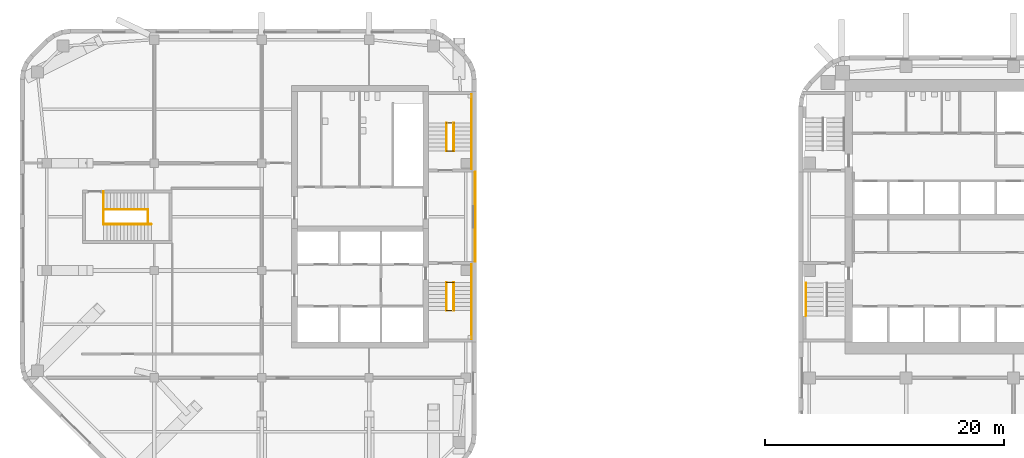
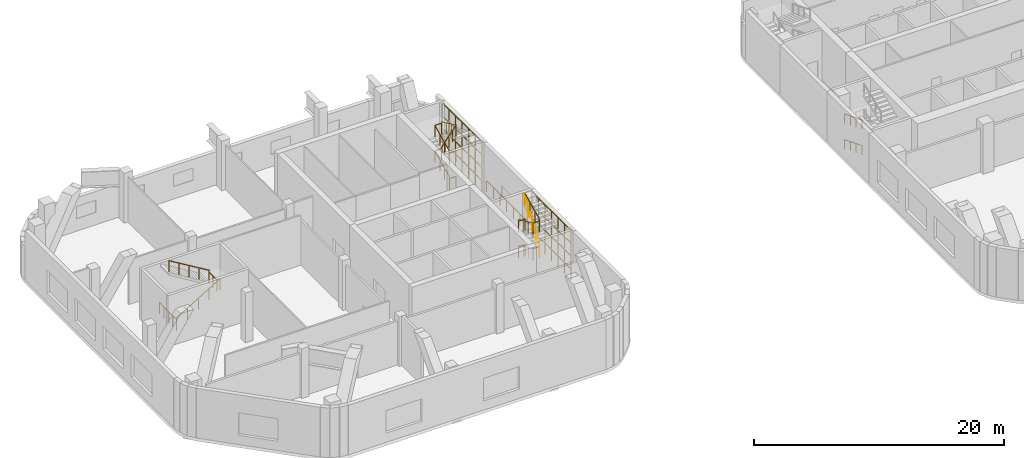
# One storey, part 12 of 14: 32 railings, 1 element without a shape of its own.
"""IFC4 building model written with IfcOpenShell, lengths in metres."""

from ifc_helpers import new_model, si_unit, direction, frame, origin, origin_2d, place, context, subcontext, project, spatial, circle, extrude, material, type_object, element, aggregate, save


model = new_model("IFC4")

# Units and contexts
model_context = context("Model", 3, precision=1e-05, world=origin(), true_north=direction((0.0, 1.0)))
body_context = subcontext(model_context, "Body", "Model", "MODEL_VIEW")
ifc_project = project(units=[si_unit("LENGTHUNIT", "METRE"), si_unit("AREAUNIT", "SQUARE_METRE"), si_unit("VOLUMEUNIT", "CUBIC_METRE"), si_unit("PLANEANGLEUNIT", "RADIAN"), si_unit("MASSUNIT", "GRAM", prefix="KILO")], contexts=[model_context])

# Site, building, storey
site_placement = place(None, origin())
site = spatial("IfcSite", under=ifc_project, at=site_placement, CompositionType="ELEMENT")
building_placement = place(site_placement, origin())
building = spatial("IfcBuilding", under=site, at=building_placement, Name="Cinnabar Reach Civic Tower", CompositionType="ELEMENT")
storey_placement = place(building_placement, frame((0.0, 0.0, 95.0)))
storey = spatial("IfcBuildingStorey", under=building, at=storey_placement, Name="L22", CompositionType="ELEMENT", Elevation=95.0)

# Stair, railings
ifc_material_1 = material(Name="Concrete C40/50", Category="concrete")
stair_type = type_object("IfcStairType", Name="T1 Exit stair, double return", PredefinedType="DOUBLE_RETURN_STAIR", material=ifc_material_1)
stair_placement = place(storey_placement, origin())
stair = element("IfcStair", 1, at=stair_placement, inside=storey, type_object=stair_type, Name="Stair T1-S1", PredefinedType="DOUBLE_RETURN_STAIR")
ifc_material_2 = material(Name="Stainless steel tube", Category="steel")
railing_type_1 = type_object("IfcRailingType", Name="T1 Stair handrail, stainless tube 48", PredefinedType="HANDRAIL", material=ifc_material_2)
railing_1_placement = place(storey_placement, frame((0.6, 25.95, 0.1562)))
railing_1 = element("IfcRailing", 2, at=railing_1_placement, type_object=railing_type_1, Name="T1-S1 handrail 1", PredefinedType="HANDRAIL", context=body_context, shape_type="SweptSolid", body=[
    extrude(circle(Radius=0.024, at=origin_2d()), frame((0.0, 0.0, 0.876), z_axis=(0.0, -0.928966009512, 0.370165035047), x_axis=(1.0, 0.0, 0.0)), (0.0, 0.0, 1.0), 2.9549),
    extrude(circle(Radius=0.021, at=origin_2d()), origin(), (0.0, 0.0, 1.0), 0.852),
    extrude(circle(Radius=0.021, at=origin_2d()), frame((0.0, -0.915, 0.3646)), (0.0, 0.0, 1.0), 0.852),
    extrude(circle(Radius=0.021, at=origin_2d()), frame((0.0, -1.83, 0.7292)), (0.0, 0.0, 1.0), 0.852),
    extrude(circle(Radius=0.021, at=origin_2d()), frame((0.0, -2.745, 1.0938)), (0.0, 0.0, 1.0), 0.852),
])
railing_2_placement = place(storey_placement, frame((0.6, 25.95, 2.6562)))
railing_2 = element("IfcRailing", 3, at=railing_2_placement, type_object=railing_type_1, Name="T1-S1 handrail 3", PredefinedType="HANDRAIL", context=body_context, shape_type="SweptSolid", body=[
    extrude(circle(Radius=0.024, at=origin_2d()), frame((0.0, 0.0, 0.876), z_axis=(0.0, -0.928966009512, 0.370165035047), x_axis=(1.0, 0.0, 0.0)), (0.0, 0.0, 1.0), 2.9549),
    extrude(circle(Radius=0.021, at=origin_2d()), origin(), (0.0, 0.0, 1.0), 0.852),
    extrude(circle(Radius=0.021, at=origin_2d()), frame((0.0, -0.915, 0.3646)), (0.0, 0.0, 1.0), 0.852),
    extrude(circle(Radius=0.021, at=origin_2d()), frame((0.0, -1.83, 0.7292)), (0.0, 0.0, 1.0), 0.852),
    extrude(circle(Radius=0.021, at=origin_2d()), frame((0.0, -2.745, 1.0938)), (0.0, 0.0, 1.0), 0.852),
])
aggregate(stair, [railing_1, railing_2])

# Railings
ifc_material_3 = material(Name="Stainless steel", Category="steel")
railing_type_2 = type_object("IfcRailingType", Name="T2 Stair guard 1100", PredefinedType="GUARDRAIL", material=ifc_material_3)
railing_3_placement = place(storey_placement, frame((-27.1, 27.75, 0.0)))
element("IfcRailing", 4, at=railing_3_placement, inside=storey, type_object=railing_type_2, Name="Corridor end guard", PredefinedType="GUARDRAIL", context=body_context, shape_type="SweptSolid", body=[
    extrude(circle(Radius=0.024, at=origin_2d()), frame((0.0, 0.0, 1.076), z_axis=(0.0, 1.0, 0.0), x_axis=(-1.0, 0.0, 0.0)), (0.0, 0.0, 1.0), 7.5),
    extrude(circle(Radius=0.021, at=origin_2d()), origin(), (0.0, 0.0, 1.0), 1.052),
    extrude(circle(Radius=0.021, at=origin_2d()), frame((0.0, 1.0714, 0.0)), (0.0, 0.0, 1.0), 1.052),
    extrude(circle(Radius=0.021, at=origin_2d()), frame((0.0, 2.1429, 0.0)), (0.0, 0.0, 1.0), 1.052),
    extrude(circle(Radius=0.021, at=origin_2d()), frame((0.0, 3.2143, 0.0)), (0.0, 0.0, 1.0), 1.052),
    extrude(circle(Radius=0.021, at=origin_2d()), frame((0.0, 4.2857, 0.0)), (0.0, 0.0, 1.0), 1.052),
    extrude(circle(Radius=0.021, at=origin_2d()), frame((0.0, 5.3571, 0.0)), (0.0, 0.0, 1.0), 1.052),
    extrude(circle(Radius=0.021, at=origin_2d()), frame((0.0, 6.4286, 0.0)), (0.0, 0.0, 1.0), 1.052),
    extrude(circle(Radius=0.021, at=origin_2d()), frame((0.0, 7.5, 0.0)), (0.0, 0.0, 1.0), 1.052),
])
for number, where, name in (
    (5, (-27.4, 21.25, 0.0), "Stair guard 1"),
    (6, (-27.4, 21.25, 1.25), "Stair guard 1"),
    (7, (-27.4, 21.25, 3.75), "Stair guard 1"),
    (8, (-27.4, 21.25, 2.5), "Stair guard 1"),
):
    element("IfcRailing", number, at=place(storey_placement, frame(where)), inside=storey, type_object=railing_type_2, Name=name, PredefinedType="GUARDRAIL", context=body_context, shape_type="SweptSolid", body=[
        extrude(circle(Radius=0.024, at=origin_2d()), frame((0.0, 0.0, 1.076), z_axis=(0.0, 1.0, 0.0), x_axis=(-1.0, 0.0, 0.0)), (0.0, 0.0, 1.0), 6.25),
        extrude(circle(Radius=0.021, at=origin_2d()), origin(), (0.0, 0.0, 1.0), 1.052),
        extrude(circle(Radius=0.021, at=origin_2d()), frame((0.0, 1.0417, 0.0)), (0.0, 0.0, 1.0), 1.052),
        extrude(circle(Radius=0.021, at=origin_2d()), frame((0.0, 2.0833, 0.0)), (0.0, 0.0, 1.0), 1.052),
        extrude(circle(Radius=0.021, at=origin_2d()), frame((0.0, 3.125, 0.0)), (0.0, 0.0, 1.0), 1.052),
        extrude(circle(Radius=0.021, at=origin_2d()), frame((0.0, 4.1667, 0.0)), (0.0, 0.0, 1.0), 1.052),
        extrude(circle(Radius=0.021, at=origin_2d()), frame((0.0, 5.2083, 0.0)), (0.0, 0.0, 1.0), 1.052),
        extrude(circle(Radius=0.021, at=origin_2d()), frame((0.0, 6.25, 0.0)), (0.0, 0.0, 1.0), 1.052),
    ])
for number, where, name in (
    (9, (-29.5, 26.0, 0.0), "Stair guard 1"),
    (10, (-29.5, 23.6375, 1.25), "Stair guard 1"),
):
    element("IfcRailing", number, at=place(storey_placement, frame(where)), inside=storey, type_object=railing_type_2, Name=name, PredefinedType="GUARDRAIL", context=body_context, shape_type="SweptSolid", body=[
        extrude(circle(Radius=0.024, at=origin_2d()), frame((0.0, 0.0, 1.076), z_axis=(1.0, 0.0, 0.0), x_axis=(0.0, 1.0, 0.0)), (0.0, 0.0, 1.0), 0.6),
        extrude(circle(Radius=0.021, at=origin_2d()), origin(), (0.0, 0.0, 1.0), 1.052),
        extrude(circle(Radius=0.021, at=origin_2d()), frame((0.6, 0.0, 0.0)), (0.0, 0.0, 1.0), 1.052),
    ])
railing_4_placement = place(storey_placement, frame((-29.5, 26.0, 0.1562)))
element("IfcRailing", 11, at=railing_4_placement, inside=storey, type_object=railing_type_2, Name="Stair guard 1", PredefinedType="GUARDRAIL", context=body_context, shape_type="SweptSolid", body=[
    extrude(circle(Radius=0.024, at=origin_2d()), frame((0.0, 0.0, 1.076), z_axis=(0.0, -0.907459584921, 0.420139383698), x_axis=(1.0, 0.0, 0.0)), (0.0, 0.0, 1.0), 2.6034),
    extrude(circle(Radius=0.021, at=origin_2d()), origin(), (0.0, 0.0, 1.0), 1.052),
    extrude(circle(Radius=0.021, at=origin_2d()), frame((0.0, -0.7875, 0.3646)), (0.0, 0.0, 1.0), 1.052),
    extrude(circle(Radius=0.021, at=origin_2d()), frame((0.0, -1.575, 0.7292)), (0.0, 0.0, 1.0), 1.052),
    extrude(circle(Radius=0.021, at=origin_2d()), frame((0.0, -2.3625, 1.0938)), (0.0, 0.0, 1.0), 1.052),
])
railing_5_placement = place(storey_placement, frame((-28.9, 23.6375, 1.4062)))
element("IfcRailing", 12, at=railing_5_placement, inside=storey, type_object=railing_type_2, Name="Stair guard 1", PredefinedType="GUARDRAIL", context=body_context, shape_type="SweptSolid", body=[
    extrude(circle(Radius=0.024, at=origin_2d()), frame((0.0, 0.0, 1.076), z_axis=(0.0, 0.549317534027, 0.835613694724), x_axis=(-1.0, 0.0, 0.0)), (0.0, 0.0, 1.0), 4.3008),
    extrude(circle(Radius=0.021, at=origin_2d()), origin(), (0.0, 0.0, 1.0), 1.052),
    extrude(circle(Radius=0.021, at=origin_2d()), frame((0.0, 0.5906, 0.8985)), (0.0, 0.0, 1.0), 1.052),
    extrude(circle(Radius=0.021, at=origin_2d()), frame((0.0, 1.1813, 1.7969)), (0.0, 0.0, 1.0), 1.052),
    extrude(circle(Radius=0.021, at=origin_2d()), frame((0.0, 1.7719, 2.6954)), (0.0, 0.0, 1.0), 1.052),
    extrude(circle(Radius=0.021, at=origin_2d()), frame((0.0, 2.3625, 3.5938)), (0.0, 0.0, 1.0), 1.052),
])
for number, where, name in (
    (13, (-29.5, 26.0, 2.5), "Stair guard 1"),
    (14, (-29.5, 23.6375, 3.75), "Stair guard 1"),
):
    element("IfcRailing", number, at=place(storey_placement, frame(where)), inside=storey, type_object=railing_type_2, Name=name, PredefinedType="GUARDRAIL", context=body_context, shape_type="SweptSolid", body=[
        extrude(circle(Radius=0.024, at=origin_2d()), frame((0.0, 0.0, 1.076), z_axis=(1.0, 0.0, 0.0), x_axis=(0.0, 1.0, 0.0)), (0.0, 0.0, 1.0), 0.6),
        extrude(circle(Radius=0.021, at=origin_2d()), origin(), (0.0, 0.0, 1.0), 1.052),
        extrude(circle(Radius=0.021, at=origin_2d()), frame((0.6, 0.0, 0.0)), (0.0, 0.0, 1.0), 1.052),
    ])
railing_6_placement = place(storey_placement, frame((-29.5, 26.0, 2.6562)))
element("IfcRailing", 15, at=railing_6_placement, inside=storey, type_object=railing_type_2, Name="Stair guard 1", PredefinedType="GUARDRAIL", context=body_context, shape_type="SweptSolid", body=[
    extrude(circle(Radius=0.024, at=origin_2d()), frame((0.0, 0.0, 1.076), z_axis=(0.0, -0.907459584921, 0.420139383698), x_axis=(1.0, 0.0, 0.0)), (0.0, 0.0, 1.0), 2.6034),
    extrude(circle(Radius=0.021, at=origin_2d()), origin(), (0.0, 0.0, 1.0), 1.052),
    extrude(circle(Radius=0.021, at=origin_2d()), frame((0.0, -0.7875, 0.3646)), (0.0, 0.0, 1.0), 1.052),
    extrude(circle(Radius=0.021, at=origin_2d()), frame((0.0, -1.575, 0.7292)), (0.0, 0.0, 1.0), 1.052),
    extrude(circle(Radius=0.021, at=origin_2d()), frame((0.0, -2.3625, 1.0938)), (0.0, 0.0, 1.0), 1.052),
])
railing_7_placement = place(storey_placement, frame((-28.9, 23.6375, 3.9062)))
element("IfcRailing", 16, at=railing_7_placement, inside=storey, type_object=railing_type_2, Name="Stair guard 1", PredefinedType="GUARDRAIL", context=body_context, shape_type="SweptSolid", body=[
    extrude(circle(Radius=0.024, at=origin_2d()), frame((0.0, 0.0, 1.076), z_axis=(0.0, 0.907459584921, 0.420139383698), x_axis=(-1.0, 0.0, 0.0)), (0.0, 0.0, 1.0), 2.6034),
    extrude(circle(Radius=0.021, at=origin_2d()), origin(), (0.0, 0.0, 1.0), 1.052),
    extrude(circle(Radius=0.021, at=origin_2d()), frame((0.0, 0.7875, 0.3646)), (0.0, 0.0, 1.0), 1.052),
    extrude(circle(Radius=0.021, at=origin_2d()), frame((0.0, 1.575, 0.7292)), (0.0, 0.0, 1.0), 1.052),
    extrude(circle(Radius=0.021, at=origin_2d()), frame((0.0, 2.3625, 1.0938)), (0.0, 0.0, 1.0), 1.052),
])
for number, where, name in (
    (17, (-27.4, 35.5, 0.0), "Stair guard 2"),
    (18, (-27.4, 35.5, 1.25), "Stair guard 2"),
    (19, (-27.4, 35.5, 3.75), "Stair guard 2"),
    (20, (-27.4, 35.5, 2.5), "Stair guard 2"),
):
    element("IfcRailing", number, at=place(storey_placement, frame(where)), inside=storey, type_object=railing_type_2, Name=name, PredefinedType="GUARDRAIL", context=body_context, shape_type="SweptSolid", body=[
        extrude(circle(Radius=0.024, at=origin_2d()), frame((0.0, 0.0, 1.076), z_axis=(0.0, 1.0, 0.0), x_axis=(-1.0, 0.0, 0.0)), (0.0, 0.0, 1.0), 6.25),
        extrude(circle(Radius=0.021, at=origin_2d()), origin(), (0.0, 0.0, 1.0), 1.052),
        extrude(circle(Radius=0.021, at=origin_2d()), frame((0.0, 1.0417, 0.0)), (0.0, 0.0, 1.0), 1.052),
        extrude(circle(Radius=0.021, at=origin_2d()), frame((0.0, 2.0833, 0.0)), (0.0, 0.0, 1.0), 1.052),
        extrude(circle(Radius=0.021, at=origin_2d()), frame((0.0, 3.125, 0.0)), (0.0, 0.0, 1.0), 1.052),
        extrude(circle(Radius=0.021, at=origin_2d()), frame((0.0, 4.1667, 0.0)), (0.0, 0.0, 1.0), 1.052),
        extrude(circle(Radius=0.021, at=origin_2d()), frame((0.0, 5.2083, 0.0)), (0.0, 0.0, 1.0), 1.052),
        extrude(circle(Radius=0.021, at=origin_2d()), frame((0.0, 6.25, 0.0)), (0.0, 0.0, 1.0), 1.052),
    ])
for number, where, name in (
    (21, (-29.5, 37.0, 0.0), "Stair guard 2"),
    (22, (-29.5, 39.3625, 1.25), "Stair guard 2"),
):
    element("IfcRailing", number, at=place(storey_placement, frame(where)), inside=storey, type_object=railing_type_2, Name=name, PredefinedType="GUARDRAIL", context=body_context, shape_type="SweptSolid", body=[
        extrude(circle(Radius=0.024, at=origin_2d()), frame((0.0, 0.0, 1.076), z_axis=(1.0, 0.0, 0.0), x_axis=(0.0, 1.0, 0.0)), (0.0, 0.0, 1.0), 0.6),
        extrude(circle(Radius=0.021, at=origin_2d()), origin(), (0.0, 0.0, 1.0), 1.052),
        extrude(circle(Radius=0.021, at=origin_2d()), frame((0.6, 0.0, 0.0)), (0.0, 0.0, 1.0), 1.052),
    ])
railing_8_placement = place(storey_placement, frame((-29.5, 37.0, 0.1562)))
element("IfcRailing", 23, at=railing_8_placement, inside=storey, type_object=railing_type_2, Name="Stair guard 2", PredefinedType="GUARDRAIL", context=body_context, shape_type="SweptSolid", body=[
    extrude(circle(Radius=0.024, at=origin_2d()), frame((0.0, 0.0, 1.076), z_axis=(0.0, 0.907459584921, 0.420139383698), x_axis=(-1.0, 0.0, 0.0)), (0.0, 0.0, 1.0), 2.6034),
    extrude(circle(Radius=0.021, at=origin_2d()), origin(), (0.0, 0.0, 1.0), 1.052),
    extrude(circle(Radius=0.021, at=origin_2d()), frame((0.0, 0.7875, 0.3646)), (0.0, 0.0, 1.0), 1.052),
    extrude(circle(Radius=0.021, at=origin_2d()), frame((0.0, 1.575, 0.7292)), (0.0, 0.0, 1.0), 1.052),
    extrude(circle(Radius=0.021, at=origin_2d()), frame((0.0, 2.3625, 1.0938)), (0.0, 0.0, 1.0), 1.052),
])
railing_9_placement = place(storey_placement, frame((-28.9, 39.3625, 1.4062)))
element("IfcRailing", 24, at=railing_9_placement, inside=storey, type_object=railing_type_2, Name="Stair guard 2", PredefinedType="GUARDRAIL", context=body_context, shape_type="SweptSolid", body=[
    extrude(circle(Radius=0.024, at=origin_2d()), frame((0.0, 0.0, 1.076), z_axis=(0.0, -0.549317534027, 0.835613694724), x_axis=(1.0, 0.0, 0.0)), (0.0, 0.0, 1.0), 4.3008),
    extrude(circle(Radius=0.021, at=origin_2d()), origin(), (0.0, 0.0, 1.0), 1.052),
    extrude(circle(Radius=0.021, at=origin_2d()), frame((0.0, -0.5906, 0.8985)), (0.0, 0.0, 1.0), 1.052),
    extrude(circle(Radius=0.021, at=origin_2d()), frame((0.0, -1.1812, 1.7969)), (0.0, 0.0, 1.0), 1.052),
    extrude(circle(Radius=0.021, at=origin_2d()), frame((0.0, -1.7719, 2.6954)), (0.0, 0.0, 1.0), 1.052),
    extrude(circle(Radius=0.021, at=origin_2d()), frame((0.0, -2.3625, 3.5938)), (0.0, 0.0, 1.0), 1.052),
])
for number, where, name in (
    (25, (-29.5, 37.0, 2.5), "Stair guard 2"),
    (26, (-29.5, 39.3625, 3.75), "Stair guard 2"),
):
    element("IfcRailing", number, at=place(storey_placement, frame(where)), inside=storey, type_object=railing_type_2, Name=name, PredefinedType="GUARDRAIL", context=body_context, shape_type="SweptSolid", body=[
        extrude(circle(Radius=0.024, at=origin_2d()), frame((0.0, 0.0, 1.076), z_axis=(1.0, 0.0, 0.0), x_axis=(0.0, 1.0, 0.0)), (0.0, 0.0, 1.0), 0.6),
        extrude(circle(Radius=0.021, at=origin_2d()), origin(), (0.0, 0.0, 1.0), 1.052),
        extrude(circle(Radius=0.021, at=origin_2d()), frame((0.6, 0.0, 0.0)), (0.0, 0.0, 1.0), 1.052),
    ])
railing_10_placement = place(storey_placement, frame((-29.5, 37.0, 2.6562)))
element("IfcRailing", 27, at=railing_10_placement, inside=storey, type_object=railing_type_2, Name="Stair guard 2", PredefinedType="GUARDRAIL", context=body_context, shape_type="SweptSolid", body=[
    extrude(circle(Radius=0.024, at=origin_2d()), frame((0.0, 0.0, 1.076), z_axis=(0.0, 0.907459584921, 0.420139383698), x_axis=(-1.0, 0.0, 0.0)), (0.0, 0.0, 1.0), 2.6034),
    extrude(circle(Radius=0.021, at=origin_2d()), origin(), (0.0, 0.0, 1.0), 1.052),
    extrude(circle(Radius=0.021, at=origin_2d()), frame((0.0, 0.7875, 0.3646)), (0.0, 0.0, 1.0), 1.052),
    extrude(circle(Radius=0.021, at=origin_2d()), frame((0.0, 1.575, 0.7292)), (0.0, 0.0, 1.0), 1.052),
    extrude(circle(Radius=0.021, at=origin_2d()), frame((0.0, 2.3625, 1.0938)), (0.0, 0.0, 1.0), 1.052),
])
railing_11_placement = place(storey_placement, frame((-28.9, 39.3625, 3.9062)))
element("IfcRailing", 28, at=railing_11_placement, inside=storey, type_object=railing_type_2, Name="Stair guard 2", PredefinedType="GUARDRAIL", context=body_context, shape_type="SweptSolid", body=[
    extrude(circle(Radius=0.024, at=origin_2d()), frame((0.0, 0.0, 1.076), z_axis=(0.0, -0.907459584921, 0.420139383698), x_axis=(1.0, 0.0, 0.0)), (0.0, 0.0, 1.0), 2.6034),
    extrude(circle(Radius=0.021, at=origin_2d()), origin(), (0.0, 0.0, 1.0), 1.052),
    extrude(circle(Radius=0.021, at=origin_2d()), frame((0.0, -0.7875, 0.3646)), (0.0, 0.0, 1.0), 1.052),
    extrude(circle(Radius=0.021, at=origin_2d()), frame((0.0, -1.575, 0.7292)), (0.0, 0.0, 1.0), 1.052),
    extrude(circle(Radius=0.021, at=origin_2d()), frame((0.0, -2.3625, 1.0938)), (0.0, 0.0, 1.0), 1.052),
])
railing_12_placement = place(storey_placement, frame((-58.25, 30.875, 0.0)))
element("IfcRailing", 29, at=railing_12_placement, inside=storey, type_object=railing_type_2, Name="Stair guard 3", PredefinedType="GUARDRAIL", context=body_context, shape_type="SweptSolid", body=[
    extrude(circle(Radius=0.024, at=origin_2d()), frame((0.0, 0.0, 1.076), z_axis=(0.0, 1.0, 0.0), x_axis=(-1.0, 0.0, 0.0)), (0.0, 0.0, 1.0), 1.25),
    extrude(circle(Radius=0.021, at=origin_2d()), origin(), (0.0, 0.0, 1.0), 1.052),
    extrude(circle(Radius=0.021, at=origin_2d()), frame((0.0, 0.625, 0.0)), (0.0, 0.0, 1.0), 1.052),
    extrude(circle(Radius=0.021, at=origin_2d()), frame((0.0, 1.25, 0.0)), (0.0, 0.0, 1.0), 1.052),
])
railing_13_placement = place(storey_placement, frame((-58.25, 32.125, 0.0)))
element("IfcRailing", 30, at=railing_13_placement, inside=storey, type_object=railing_type_2, Name="Stair guard 3", PredefinedType="GUARDRAIL", context=body_context, shape_type="SweptSolid", body=[
    extrude(circle(Radius=0.024, at=origin_2d()), frame((0.0, 0.0, 1.076), z_axis=(0.0, 1.0, 0.0), x_axis=(-1.0, 0.0, 0.0)), (0.0, 0.0, 1.0), 1.5),
    extrude(circle(Radius=0.021, at=origin_2d()), origin(), (0.0, 0.0, 1.0), 1.052),
    extrude(circle(Radius=0.021, at=origin_2d()), frame((0.0, 0.75, 0.0)), (0.0, 0.0, 1.0), 1.052),
    extrude(circle(Radius=0.021, at=origin_2d()), frame((0.0, 1.5, 0.0)), (0.0, 0.0, 1.0), 1.052),
])
railing_14_placement = place(storey_placement, frame((-54.5357, 30.875, 2.5862)))
element("IfcRailing", 31, at=railing_14_placement, inside=storey, type_object=railing_type_2, Name="Stair guard 3", PredefinedType="GUARDRAIL", context=body_context, shape_type="SweptSolid", body=[
    extrude(circle(Radius=0.024, at=origin_2d()), frame((0.0, 0.0, 1.076), z_axis=(0.0, 1.0, 0.0), x_axis=(-1.0, 0.0, 0.0)), (0.0, 0.0, 1.0), 1.25),
    extrude(circle(Radius=0.021, at=origin_2d()), origin(), (0.0, 0.0, 1.0), 1.052),
    extrude(circle(Radius=0.021, at=origin_2d()), frame((0.0, 0.625, 0.0)), (0.0, 0.0, 1.0), 1.052),
    extrude(circle(Radius=0.021, at=origin_2d()), frame((0.0, 1.25, 0.0)), (0.0, 0.0, 1.0), 1.052),
])
railing_15_placement = place(storey_placement, frame((-58.25, 30.875, 0.1724)))
element("IfcRailing", 32, at=railing_15_placement, inside=storey, type_object=railing_type_2, Name="Stair guard 3", PredefinedType="GUARDRAIL", context=body_context, shape_type="SweptSolid", body=[
    extrude(circle(Radius=0.024, at=origin_2d()), frame((0.0, 0.0, 1.076), z_axis=(0.856187008057, 0.0, 0.516666050012), x_axis=(0.0, 1.0, 0.0)), (0.0, 0.0, 1.0), 4.6719),
    extrude(circle(Radius=0.021, at=origin_2d()), origin(), (0.0, 0.0, 1.0), 1.052),
    extrude(circle(Radius=0.021, at=origin_2d()), frame((1.0, 0.0, 0.6035)), (0.0, 0.0, 1.0), 1.052),
    extrude(circle(Radius=0.021, at=origin_2d()), frame((2.0, 0.0, 1.2069)), (0.0, 0.0, 1.0), 1.052),
    extrude(circle(Radius=0.021, at=origin_2d()), frame((3.0, 0.0, 1.8104)), (0.0, 0.0, 1.0), 1.052),
    extrude(circle(Radius=0.021, at=origin_2d()), frame((4.0, 0.0, 2.4138)), (0.0, 0.0, 1.0), 1.052),
])
railing_16_placement = place(storey_placement, frame((-54.5357, 32.125, 2.7586)))
element("IfcRailing", 33, at=railing_16_placement, inside=storey, type_object=railing_type_2, Name="Stair guard 3", PredefinedType="GUARDRAIL", context=body_context, shape_type="SweptSolid", body=[
    extrude(circle(Radius=0.024, at=origin_2d()), frame((0.0, 0.0, 1.076), z_axis=(-0.856186430399, 0.0, 0.516667007269), x_axis=(0.0, -1.0, 0.0)), (0.0, 0.0, 1.0), 4.3382),
    extrude(circle(Radius=0.021, at=origin_2d()), origin(), (0.0, 0.0, 1.0), 1.052),
    extrude(circle(Radius=0.021, at=origin_2d()), frame((-0.9286, 0.0, 0.5603)), (0.0, 0.0, 1.0), 1.052),
    extrude(circle(Radius=0.021, at=origin_2d()), frame((-1.8572, 0.0, 1.1207)), (0.0, 0.0, 1.0), 1.052),
    extrude(circle(Radius=0.021, at=origin_2d()), frame((-2.7857, 0.0, 1.681)), (0.0, 0.0, 1.0), 1.052),
    extrude(circle(Radius=0.021, at=origin_2d()), frame((-3.7143, 0.0, 2.2414)), (0.0, 0.0, 1.0), 1.052),
])

save(model, "model.ifc")
